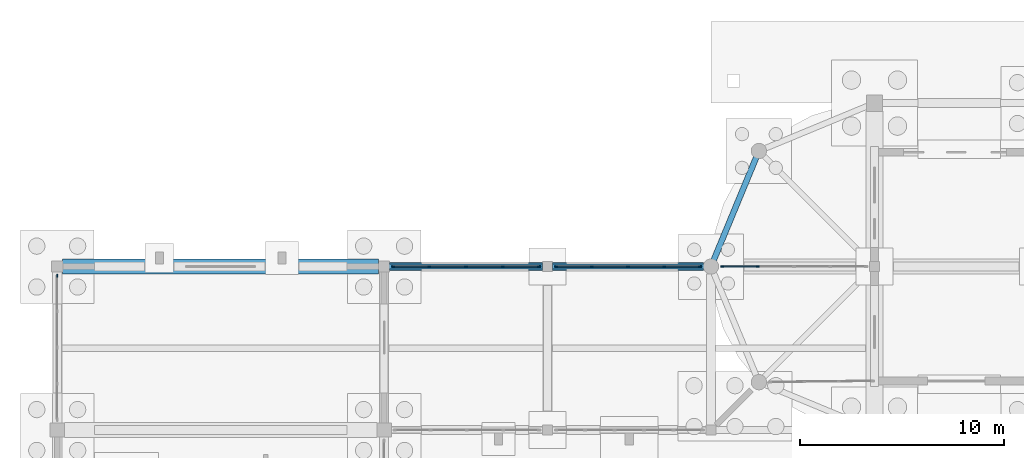
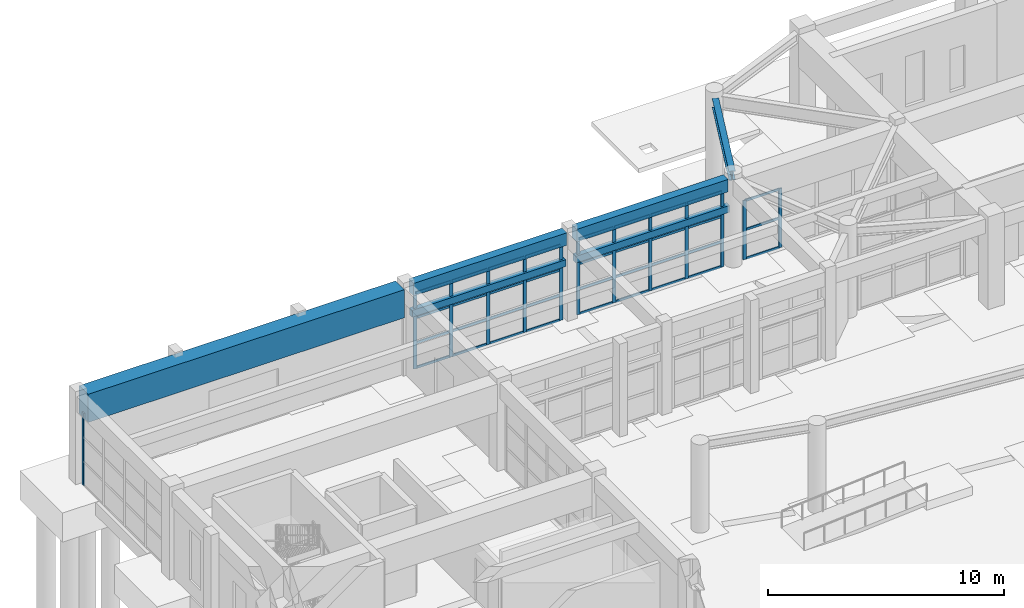
# One storey, part 27 of 68: 48 members, 6 beams, 4 elements without a shape of their own.
"""IFC4 building model written with IfcOpenShell, lengths in metres."""

from ifc_helpers import new_model, si_unit, direction, frame, origin, origin_2d, place, context, subcontext, project, spatial, rectangle, i_section, extrude, material, material_profile, profile_set, type_object, element, aggregate, save


model = new_model("IFC4")

# Units and contexts
model_context = context("Model", 3, precision=1e-05, world=origin(), true_north=direction((0.0, 1.0)))
body_context = subcontext(model_context, "Body", "Model", "MODEL_VIEW")
ifc_project = project(units=[si_unit("LENGTHUNIT", "METRE"), si_unit("AREAUNIT", "SQUARE_METRE"), si_unit("VOLUMEUNIT", "CUBIC_METRE"), si_unit("PLANEANGLEUNIT", "RADIAN"), si_unit("MASSUNIT", "GRAM", prefix="KILO")], contexts=[model_context])

# Site, building, storey
site_placement = place(None, origin())
site = spatial("IfcSite", under=ifc_project, at=site_placement, CompositionType="ELEMENT")
building_placement = place(site_placement, origin())
building = spatial("IfcBuilding", under=site, at=building_placement, Name="Serraluz Foothill Cableway Terminal", CompositionType="ELEMENT")
storey_placement = place(building_placement, origin())
storey = spatial("IfcBuildingStorey", under=building, at=storey_placement, Name="L00", CompositionType="ELEMENT", Elevation=0.0)

# Beams
ifc_material_1 = material(Name="Concrete C28/35 (f'c 28 MPa)", Category="concrete")
ifc_material_profile_1 = material_profile(ifc_material_1, rectangle(XDim=0.39990234375, YDim=0.64990234375, at=origin_2d()), Name="RC 400x650")
ifc_profile_set_1 = profile_set([ifc_material_profile_1], Name="Concrete C28/35 (f'c 28 MPa)")
beam_type_1 = type_object("IfcBeamType", Name="TYP-BM-RC400X650", PredefinedType="BEAM", material=ifc_profile_set_1)
beam_1_placement = place(storey_placement, frame((16.27099609375, 64.0, 4.235107421875), z_axis=(1.0, 0.0, 0.0), x_axis=(0.0, 1.0, 0.0)))
element("IfcBeam", 1, at=beam_1_placement, inside=storey, type_object=beam_type_1, Name="Primary Girder BM-X-L00-0078", PredefinedType="BEAM", context=body_context, shape_type="SweptSolid", body=[
    extrude(rectangle(XDim=0.39990234375, YDim=0.64990234375, at=origin_2d()), origin(), (0.0, 0.0, 1.0), 7.48291015625),
])
beam_2_placement = place(storey_placement, frame((24.24609375, 64.0, 4.235107421875), z_axis=(1.0, 0.0, 0.0), x_axis=(0.0, 1.0, 0.0)))
element("IfcBeam", 2, at=beam_2_placement, inside=storey, type_object=beam_type_1, Name="Primary Girder BM-X-L00-0079", PredefinedType="BEAM", context=body_context, shape_type="SweptSolid", body=[
    extrude(rectangle(XDim=0.39990234375, YDim=0.64990234375, at=origin_2d()), origin(), (0.0, 0.0, 1.0), 7.3828125),
])
ifc_material_2 = material(Name="Concrete C35/45 (f'c 35 MPa)", Category="concrete")
ifc_material_profile_2 = material_profile(ifc_material_2, rectangle(XDim=0.75, YDim=1.449951171875, at=origin_2d()), Name="RC TG 750x1450")
ifc_profile_set_2 = profile_set([ifc_material_profile_2], Name="Concrete C35/45 (f'c 35 MPa)")
beam_type_2 = type_object("IfcBeamType", Name="TYP-BM-RCTG1450", PredefinedType="BEAM", material=ifc_profile_set_2)
beam_3_placement = place(storey_placement, frame((0.27099609375, 64.0, 3.81494140625), z_axis=(1.0, 0.0, 0.0), x_axis=(0.0, 1.0, 0.0)))
element("IfcBeam", 3, at=beam_3_placement, inside=storey, type_object=beam_type_2, Name="Primary Girder BM-X-L00-0077", PredefinedType="BEAM", context=body_context, shape_type="SweptSolid", body=[
    extrude(rectangle(XDim=0.75, YDim=1.449951171875, at=origin_2d()), origin(), (0.0, 0.0, 1.0), 15.4580078125),
])

# Curtain wall, member
ifc_material_3 = material(Name="Architectural bronze alloy C28000", Category="aluminium")
curtain_wall_type_1 = type_object("IfcCurtainWallType", Name="TYP-CW-540X420", PredefinedType="NOTDEFINED", material=ifc_material_3)
curtain_wall_1_placement = place(storey_placement, origin())
curtain_wall_1 = element("IfcCurtainWall", 4, at=curtain_wall_1_placement, inside=storey, type_object=curtain_wall_type_1, Name="Ribbed Glazed Curtain Wall CW-V5W-L00-56", PredefinedType="NOTDEFINED")
ifc_material_profile_3 = material_profile(ifc_material_3, rectangle(XDim=0.06005859375, YDim=0.159912109375, at=origin_2d()), Name="ALU MULLION 60x160")
ifc_profile_set_3 = profile_set([ifc_material_profile_3], Name="Architectural bronze alloy C28000")
member_type_1 = type_object("IfcMemberType", Name="TYP-CW-MUL-60X160", PredefinedType="MULLION", material=ifc_profile_set_3)
member_1_placement = place(storey_placement, frame((0.0, 63.554931640625, 0.0), z_axis=(0.0, 0.0, 1.0), x_axis=(-1.0, 0.0, 0.0)))
member_1 = element("IfcMember", 5, at=member_1_placement, type_object=member_type_1, Name="CW-10 mullion 5", PredefinedType="MULLION", context=body_context, shape_type="SweptSolid", body=[
    extrude(rectangle(XDim=0.06005859375, YDim=0.159912109375, at=origin_2d()), origin(), (0.0, 0.0, 1.0), 3.739990234375),
])
aggregate(curtain_wall_1, [member_1])

# Curtain wall, members
curtain_wall_type_2 = type_object("IfcCurtainWallType", Name="TYP-CW-710X420", PredefinedType="NOTDEFINED", material=ifc_material_3)
curtain_wall_2_placement = place(storey_placement, origin())
curtain_wall_2 = element("IfcCurtainWall", 6, at=curtain_wall_2_placement, inside=storey, type_object=curtain_wall_type_2, Name="Ribbed Glazed Curtain Wall CW-WLN-L00-16", PredefinedType="NOTDEFINED")
member_2_placement = place(storey_placement, frame((16.445068359375, 64.0, 0.0), z_axis=(0.0, 0.0, 1.0), x_axis=(0.0, 1.0, 0.0)))
member_2 = element("IfcMember", 7, at=member_2_placement, type_object=member_type_1, Name="CW-01 mullion 1", PredefinedType="MULLION", context=body_context, shape_type="SweptSolid", body=[
    extrude(rectangle(XDim=0.06005859375, YDim=0.159912109375, at=origin_2d()), origin(), (0.0, 0.0, 1.0), 3.909912109375),
])
member_3_placement = place(storey_placement, frame((18.2138671875, 64.0, 0.0), z_axis=(0.0, 0.0, 1.0), x_axis=(0.0, 1.0, 0.0)))
member_3 = element("IfcMember", 8, at=member_3_placement, type_object=member_type_1, Name="CW-01 mullion 2", PredefinedType="MULLION", context=body_context, shape_type="SweptSolid", body=[
    extrude(rectangle(XDim=0.06005859375, YDim=0.159912109375, at=origin_2d()), origin(), (0.0, 0.0, 1.0), 3.909912109375),
])
member_4_placement = place(storey_placement, frame((20.012451171875, 64.0, 0.0), z_axis=(0.0, 0.0, 1.0), x_axis=(0.0, 1.0, 0.0)))
member_4 = element("IfcMember", 9, at=member_4_placement, type_object=member_type_1, Name="CW-01 mullion 3", PredefinedType="MULLION", context=body_context, shape_type="SweptSolid", body=[
    extrude(rectangle(XDim=0.06005859375, YDim=0.159912109375, at=origin_2d()), origin(), (0.0, 0.0, 1.0), 3.909912109375),
])
member_5_placement = place(storey_placement, frame((21.811279296875, 64.0, 0.0), z_axis=(0.0, 0.0, 1.0), x_axis=(0.0, 1.0, 0.0)))
member_5 = element("IfcMember", 10, at=member_5_placement, type_object=member_type_1, Name="CW-01 mullion 4", PredefinedType="MULLION", context=body_context, shape_type="SweptSolid", body=[
    extrude(rectangle(XDim=0.06005859375, YDim=0.159912109375, at=origin_2d()), origin(), (0.0, 0.0, 1.0), 3.909912109375),
])
member_6_placement = place(storey_placement, frame((23.580078125, 64.0, 0.0), z_axis=(0.0, 0.0, 1.0), x_axis=(0.0, 1.0, 0.0)))
member_6 = element("IfcMember", 11, at=member_6_placement, type_object=member_type_1, Name="CW-01 mullion 5", PredefinedType="MULLION", context=body_context, shape_type="SweptSolid", body=[
    extrude(rectangle(XDim=0.06005859375, YDim=0.159912109375, at=origin_2d()), origin(), (0.0, 0.0, 1.0), 3.909912109375),
])

curtain_wall_3_placement = place(storey_placement, origin())
curtain_wall_3 = element("IfcCurtainWall", 12, at=curtain_wall_3_placement, inside=storey, type_object=curtain_wall_type_2, Name="Ribbed Glazed Curtain Wall CW-WLN-L00-24", PredefinedType="NOTDEFINED")
member_7_placement = place(storey_placement, frame((24.419921875, 64.0, 0.0), z_axis=(0.0, 0.0, 1.0), x_axis=(0.0, 1.0, 0.0)))
member_7 = element("IfcMember", 13, at=member_7_placement, type_object=member_type_1, Name="CW-01 mullion 1", PredefinedType="MULLION", context=body_context, shape_type="SweptSolid", body=[
    extrude(rectangle(XDim=0.06005859375, YDim=0.159912109375, at=origin_2d()), origin(), (0.0, 0.0, 1.0), 3.909912109375),
])
member_8_placement = place(storey_placement, frame((26.163818359375, 64.0, 0.0), z_axis=(0.0, 0.0, 1.0), x_axis=(0.0, 1.0, 0.0)))
member_8 = element("IfcMember", 14, at=member_8_placement, type_object=member_type_1, Name="CW-01 mullion 2", PredefinedType="MULLION", context=body_context, shape_type="SweptSolid", body=[
    extrude(rectangle(XDim=0.06005859375, YDim=0.159912109375, at=origin_2d()), origin(), (0.0, 0.0, 1.0), 3.909912109375),
])
member_9_placement = place(storey_placement, frame((27.9375, 64.0, 0.0), z_axis=(0.0, 0.0, 1.0), x_axis=(0.0, 1.0, 0.0)))
member_9 = element("IfcMember", 15, at=member_9_placement, type_object=member_type_1, Name="CW-01 mullion 3", PredefinedType="MULLION", context=body_context, shape_type="SweptSolid", body=[
    extrude(rectangle(XDim=0.06005859375, YDim=0.159912109375, at=origin_2d()), origin(), (0.0, 0.0, 1.0), 3.909912109375),
])
member_10_placement = place(storey_placement, frame((29.711181640625, 64.0, 0.0), z_axis=(0.0, 0.0, 1.0), x_axis=(0.0, 1.0, 0.0)))
member_10 = element("IfcMember", 16, at=member_10_placement, type_object=member_type_1, Name="CW-01 mullion 4", PredefinedType="MULLION", context=body_context, shape_type="SweptSolid", body=[
    extrude(rectangle(XDim=0.06005859375, YDim=0.159912109375, at=origin_2d()), origin(), (0.0, 0.0, 1.0), 3.909912109375),
])
member_11_placement = place(storey_placement, frame((31.455078125, 64.0, 0.0), z_axis=(0.0, 0.0, 1.0), x_axis=(0.0, 1.0, 0.0)))
member_11 = element("IfcMember", 17, at=member_11_placement, type_object=member_type_1, Name="CW-01 mullion 5", PredefinedType="MULLION", context=body_context, shape_type="SweptSolid", body=[
    extrude(rectangle(XDim=0.06005859375, YDim=0.159912109375, at=origin_2d()), origin(), (0.0, 0.0, 1.0), 3.909912109375),
])

curtain_wall_4_placement = place(storey_placement, origin())
curtain_wall_4 = element("IfcCurtainWall", 18, at=curtain_wall_4_placement, inside=storey, type_object=curtain_wall_type_2, Name="Ribbed Glazed Curtain Wall CW-WLN-L00-32", PredefinedType="NOTDEFINED")
member_12_placement = place(storey_placement, frame((32.544921875, 64.0, 0.0), z_axis=(0.0, 0.0, 1.0), x_axis=(0.0, 1.0, 0.0)))
member_12 = element("IfcMember", 19, at=member_12_placement, type_object=member_type_1, Name="CW-01 mullion 1", PredefinedType="MULLION", context=body_context, shape_type="SweptSolid", body=[
    extrude(rectangle(XDim=0.06005859375, YDim=0.159912109375, at=origin_2d()), origin(), (0.0, 0.0, 1.0), 3.050048828125),
])
member_13_placement = place(storey_placement, frame((34.288818359375, 64.0, 0.0), z_axis=(0.0, 0.0, 1.0), x_axis=(0.0, 1.0, 0.0)))
member_13 = element("IfcMember", 20, at=member_13_placement, type_object=member_type_1, Name="CW-01 mullion 2", PredefinedType="MULLION", context=body_context, shape_type="SweptSolid", body=[
    extrude(rectangle(XDim=0.06005859375, YDim=0.159912109375, at=origin_2d()), origin(), (0.0, 0.0, 1.0), 3.050048828125),
])

# Member
ifc_material_profile_4 = material_profile(ifc_material_3, rectangle(XDim=0.06005859375, YDim=0.1201171875, at=origin_2d()), Name="ALU TRANSOM 60x120")
ifc_profile_set_4 = profile_set([ifc_material_profile_4], Name="Architectural bronze alloy C28000")
member_type_2 = type_object("IfcMemberType", Name="TYP-CW-TRN-60X120", PredefinedType="USERDEFINED", material=ifc_profile_set_4)
member_14_placement = place(storey_placement, frame((16.47509765625, 64.0, 0.030029296875), z_axis=(1.0, 0.0, 0.0), x_axis=(0.0, 1.0, 0.0)))
member_14 = element("IfcMember", 21, at=member_14_placement, type_object=member_type_2, Name="CW-01 transom 1.1", ObjectType="TRANSOM", PredefinedType="USERDEFINED", context=body_context, shape_type="SweptSolid", body=[
    extrude(rectangle(XDim=0.06005859375, YDim=0.1201171875, at=origin_2d()), origin(), (0.0, 0.0, 1.0), 1.708740234375),
])

member_15_placement = place(storey_placement, frame((16.47509765625, 64.0, 1.30322265625), z_axis=(1.0, 0.0, 0.0), x_axis=(0.0, 1.0, 0.0)))
member_15 = element("IfcMember", 22, at=member_15_placement, type_object=member_type_2, Name="CW-01 transom 1.2", ObjectType="TRANSOM", PredefinedType="USERDEFINED", context=body_context, shape_type="SweptSolid", body=[
    extrude(rectangle(XDim=0.06005859375, YDim=0.1201171875, at=origin_2d()), origin(), (0.0, 0.0, 1.0), 1.708740234375),
])

member_16_placement = place(storey_placement, frame((16.47509765625, 64.0, 2.606689453125), z_axis=(1.0, 0.0, 0.0), x_axis=(0.0, 1.0, 0.0)))
member_16 = element("IfcMember", 23, at=member_16_placement, type_object=member_type_2, Name="CW-01 transom 1.3", ObjectType="TRANSOM", PredefinedType="USERDEFINED", context=body_context, shape_type="SweptSolid", body=[
    extrude(rectangle(XDim=0.06005859375, YDim=0.1201171875, at=origin_2d()), origin(), (0.0, 0.0, 1.0), 1.708740234375),
])

member_17_placement = place(storey_placement, frame((16.47509765625, 64.0, 3.8798828125), z_axis=(1.0, 0.0, 0.0), x_axis=(0.0, 1.0, 0.0)))
member_17 = element("IfcMember", 24, at=member_17_placement, type_object=member_type_2, Name="CW-01 transom 1.4", ObjectType="TRANSOM", PredefinedType="USERDEFINED", context=body_context, shape_type="SweptSolid", body=[
    extrude(rectangle(XDim=0.06005859375, YDim=0.1201171875, at=origin_2d()), origin(), (0.0, 0.0, 1.0), 1.708740234375),
])

member_18_placement = place(storey_placement, frame((18.24365234375, 64.0, 0.030029296875), z_axis=(1.0, 0.0, 0.0), x_axis=(0.0, 1.0, 0.0)))
member_18 = element("IfcMember", 25, at=member_18_placement, type_object=member_type_2, Name="CW-01 transom 2.1", ObjectType="TRANSOM", PredefinedType="USERDEFINED", context=body_context, shape_type="SweptSolid", body=[
    extrude(rectangle(XDim=0.06005859375, YDim=0.1201171875, at=origin_2d()), origin(), (0.0, 0.0, 1.0), 1.73876953125),
])

member_19_placement = place(storey_placement, frame((18.24365234375, 64.0, 1.30322265625), z_axis=(1.0, 0.0, 0.0), x_axis=(0.0, 1.0, 0.0)))
member_19 = element("IfcMember", 26, at=member_19_placement, type_object=member_type_2, Name="CW-01 transom 2.2", ObjectType="TRANSOM", PredefinedType="USERDEFINED", context=body_context, shape_type="SweptSolid", body=[
    extrude(rectangle(XDim=0.06005859375, YDim=0.1201171875, at=origin_2d()), origin(), (0.0, 0.0, 1.0), 1.73876953125),
])

member_20_placement = place(storey_placement, frame((18.24365234375, 64.0, 2.606689453125), z_axis=(1.0, 0.0, 0.0), x_axis=(0.0, 1.0, 0.0)))
member_20 = element("IfcMember", 27, at=member_20_placement, type_object=member_type_2, Name="CW-01 transom 2.3", ObjectType="TRANSOM", PredefinedType="USERDEFINED", context=body_context, shape_type="SweptSolid", body=[
    extrude(rectangle(XDim=0.06005859375, YDim=0.1201171875, at=origin_2d()), origin(), (0.0, 0.0, 1.0), 1.73876953125),
])

member_21_placement = place(storey_placement, frame((18.24365234375, 64.0, 3.8798828125), z_axis=(1.0, 0.0, 0.0), x_axis=(0.0, 1.0, 0.0)))
member_21 = element("IfcMember", 28, at=member_21_placement, type_object=member_type_2, Name="CW-01 transom 2.4", ObjectType="TRANSOM", PredefinedType="USERDEFINED", context=body_context, shape_type="SweptSolid", body=[
    extrude(rectangle(XDim=0.06005859375, YDim=0.1201171875, at=origin_2d()), origin(), (0.0, 0.0, 1.0), 1.73876953125),
])

member_22_placement = place(storey_placement, frame((20.04248046875, 64.0, 0.030029296875), z_axis=(1.0, 0.0, 0.0), x_axis=(0.0, 1.0, 0.0)))
member_22 = element("IfcMember", 29, at=member_22_placement, type_object=member_type_2, Name="CW-01 transom 3.1", ObjectType="TRANSOM", PredefinedType="USERDEFINED", context=body_context, shape_type="SweptSolid", body=[
    extrude(rectangle(XDim=0.06005859375, YDim=0.1201171875, at=origin_2d()), origin(), (0.0, 0.0, 1.0), 1.73876953125),
])

member_23_placement = place(storey_placement, frame((20.04248046875, 64.0, 1.30322265625), z_axis=(1.0, 0.0, 0.0), x_axis=(0.0, 1.0, 0.0)))
member_23 = element("IfcMember", 30, at=member_23_placement, type_object=member_type_2, Name="CW-01 transom 3.2", ObjectType="TRANSOM", PredefinedType="USERDEFINED", context=body_context, shape_type="SweptSolid", body=[
    extrude(rectangle(XDim=0.06005859375, YDim=0.1201171875, at=origin_2d()), origin(), (0.0, 0.0, 1.0), 1.73876953125),
])

member_24_placement = place(storey_placement, frame((20.04248046875, 64.0, 2.606689453125), z_axis=(1.0, 0.0, 0.0), x_axis=(0.0, 1.0, 0.0)))
member_24 = element("IfcMember", 31, at=member_24_placement, type_object=member_type_2, Name="CW-01 transom 3.3", ObjectType="TRANSOM", PredefinedType="USERDEFINED", context=body_context, shape_type="SweptSolid", body=[
    extrude(rectangle(XDim=0.06005859375, YDim=0.1201171875, at=origin_2d()), origin(), (0.0, 0.0, 1.0), 1.73876953125),
])

member_25_placement = place(storey_placement, frame((20.04248046875, 64.0, 3.8798828125), z_axis=(1.0, 0.0, 0.0), x_axis=(0.0, 1.0, 0.0)))
member_25 = element("IfcMember", 32, at=member_25_placement, type_object=member_type_2, Name="CW-01 transom 3.4", ObjectType="TRANSOM", PredefinedType="USERDEFINED", context=body_context, shape_type="SweptSolid", body=[
    extrude(rectangle(XDim=0.06005859375, YDim=0.1201171875, at=origin_2d()), origin(), (0.0, 0.0, 1.0), 1.73876953125),
])

member_26_placement = place(storey_placement, frame((21.84130859375, 64.0, 0.030029296875), z_axis=(1.0, 0.0, 0.0), x_axis=(0.0, 1.0, 0.0)))
member_26 = element("IfcMember", 33, at=member_26_placement, type_object=member_type_2, Name="CW-01 transom 4.1", ObjectType="TRANSOM", PredefinedType="USERDEFINED", context=body_context, shape_type="SweptSolid", body=[
    extrude(rectangle(XDim=0.06005859375, YDim=0.1201171875, at=origin_2d()), origin(), (0.0, 0.0, 1.0), 1.708740234375),
])

member_27_placement = place(storey_placement, frame((21.84130859375, 64.0, 1.30322265625), z_axis=(1.0, 0.0, 0.0), x_axis=(0.0, 1.0, 0.0)))
member_27 = element("IfcMember", 34, at=member_27_placement, type_object=member_type_2, Name="CW-01 transom 4.2", ObjectType="TRANSOM", PredefinedType="USERDEFINED", context=body_context, shape_type="SweptSolid", body=[
    extrude(rectangle(XDim=0.06005859375, YDim=0.1201171875, at=origin_2d()), origin(), (0.0, 0.0, 1.0), 1.708740234375),
])

member_28_placement = place(storey_placement, frame((21.84130859375, 64.0, 2.606689453125), z_axis=(1.0, 0.0, 0.0), x_axis=(0.0, 1.0, 0.0)))
member_28 = element("IfcMember", 35, at=member_28_placement, type_object=member_type_2, Name="CW-01 transom 4.3", ObjectType="TRANSOM", PredefinedType="USERDEFINED", context=body_context, shape_type="SweptSolid", body=[
    extrude(rectangle(XDim=0.06005859375, YDim=0.1201171875, at=origin_2d()), origin(), (0.0, 0.0, 1.0), 1.708740234375),
])

member_29_placement = place(storey_placement, frame((21.84130859375, 64.0, 3.8798828125), z_axis=(1.0, 0.0, 0.0), x_axis=(0.0, 1.0, 0.0)))
member_29 = element("IfcMember", 36, at=member_29_placement, type_object=member_type_2, Name="CW-01 transom 4.4", ObjectType="TRANSOM", PredefinedType="USERDEFINED", context=body_context, shape_type="SweptSolid", body=[
    extrude(rectangle(XDim=0.06005859375, YDim=0.1201171875, at=origin_2d()), origin(), (0.0, 0.0, 1.0), 1.708740234375),
])

aggregate(curtain_wall_2, [member_2, member_3, member_4, member_5, member_6, member_14, member_15, member_16, member_17, member_18, member_19, member_20, member_21, member_22, member_23, member_24, member_25, member_26, member_27, member_28, member_29])

member_30_placement = place(storey_placement, frame((24.449951171875, 64.0, 0.030029296875), z_axis=(1.0, 0.0, 0.0), x_axis=(0.0, 1.0, 0.0)))
member_30 = element("IfcMember", 37, at=member_30_placement, type_object=member_type_2, Name="CW-01 transom 1.1", ObjectType="TRANSOM", PredefinedType="USERDEFINED", context=body_context, shape_type="SweptSolid", body=[
    extrude(rectangle(XDim=0.06005859375, YDim=0.1201171875, at=origin_2d()), origin(), (0.0, 0.0, 1.0), 1.683837890625),
])

member_31_placement = place(storey_placement, frame((24.449951171875, 64.0, 1.30322265625), z_axis=(1.0, 0.0, 0.0), x_axis=(0.0, 1.0, 0.0)))
member_31 = element("IfcMember", 38, at=member_31_placement, type_object=member_type_2, Name="CW-01 transom 1.2", ObjectType="TRANSOM", PredefinedType="USERDEFINED", context=body_context, shape_type="SweptSolid", body=[
    extrude(rectangle(XDim=0.06005859375, YDim=0.1201171875, at=origin_2d()), origin(), (0.0, 0.0, 1.0), 1.683837890625),
])

member_32_placement = place(storey_placement, frame((24.449951171875, 64.0, 2.606689453125), z_axis=(1.0, 0.0, 0.0), x_axis=(0.0, 1.0, 0.0)))
member_32 = element("IfcMember", 39, at=member_32_placement, type_object=member_type_2, Name="CW-01 transom 1.3", ObjectType="TRANSOM", PredefinedType="USERDEFINED", context=body_context, shape_type="SweptSolid", body=[
    extrude(rectangle(XDim=0.06005859375, YDim=0.1201171875, at=origin_2d()), origin(), (0.0, 0.0, 1.0), 1.683837890625),
])

member_33_placement = place(storey_placement, frame((24.449951171875, 64.0, 3.8798828125), z_axis=(1.0, 0.0, 0.0), x_axis=(0.0, 1.0, 0.0)))
member_33 = element("IfcMember", 40, at=member_33_placement, type_object=member_type_2, Name="CW-01 transom 1.4", ObjectType="TRANSOM", PredefinedType="USERDEFINED", context=body_context, shape_type="SweptSolid", body=[
    extrude(rectangle(XDim=0.06005859375, YDim=0.1201171875, at=origin_2d()), origin(), (0.0, 0.0, 1.0), 1.683837890625),
])

member_34_placement = place(storey_placement, frame((26.19384765625, 64.0, 0.030029296875), z_axis=(1.0, 0.0, 0.0), x_axis=(0.0, 1.0, 0.0)))
member_34 = element("IfcMember", 41, at=member_34_placement, type_object=member_type_2, Name="CW-01 transom 2.1", ObjectType="TRANSOM", PredefinedType="USERDEFINED", context=body_context, shape_type="SweptSolid", body=[
    extrude(rectangle(XDim=0.06005859375, YDim=0.1201171875, at=origin_2d()), origin(), (0.0, 0.0, 1.0), 1.713623046875),
])

member_35_placement = place(storey_placement, frame((26.19384765625, 64.0, 1.30322265625), z_axis=(1.0, 0.0, 0.0), x_axis=(0.0, 1.0, 0.0)))
member_35 = element("IfcMember", 42, at=member_35_placement, type_object=member_type_2, Name="CW-01 transom 2.2", ObjectType="TRANSOM", PredefinedType="USERDEFINED", context=body_context, shape_type="SweptSolid", body=[
    extrude(rectangle(XDim=0.06005859375, YDim=0.1201171875, at=origin_2d()), origin(), (0.0, 0.0, 1.0), 1.713623046875),
])

member_36_placement = place(storey_placement, frame((26.19384765625, 64.0, 2.606689453125), z_axis=(1.0, 0.0, 0.0), x_axis=(0.0, 1.0, 0.0)))
member_36 = element("IfcMember", 43, at=member_36_placement, type_object=member_type_2, Name="CW-01 transom 2.3", ObjectType="TRANSOM", PredefinedType="USERDEFINED", context=body_context, shape_type="SweptSolid", body=[
    extrude(rectangle(XDim=0.06005859375, YDim=0.1201171875, at=origin_2d()), origin(), (0.0, 0.0, 1.0), 1.713623046875),
])

member_37_placement = place(storey_placement, frame((26.19384765625, 64.0, 3.8798828125), z_axis=(1.0, 0.0, 0.0), x_axis=(0.0, 1.0, 0.0)))
member_37 = element("IfcMember", 44, at=member_37_placement, type_object=member_type_2, Name="CW-01 transom 2.4", ObjectType="TRANSOM", PredefinedType="USERDEFINED", context=body_context, shape_type="SweptSolid", body=[
    extrude(rectangle(XDim=0.06005859375, YDim=0.1201171875, at=origin_2d()), origin(), (0.0, 0.0, 1.0), 1.713623046875),
])

member_38_placement = place(storey_placement, frame((27.967529296875, 64.0, 0.030029296875), z_axis=(1.0, 0.0, 0.0), x_axis=(0.0, 1.0, 0.0)))
member_38 = element("IfcMember", 45, at=member_38_placement, type_object=member_type_2, Name="CW-01 transom 3.1", ObjectType="TRANSOM", PredefinedType="USERDEFINED", context=body_context, shape_type="SweptSolid", body=[
    extrude(rectangle(XDim=0.06005859375, YDim=0.1201171875, at=origin_2d()), origin(), (0.0, 0.0, 1.0), 1.713623046875),
])

member_39_placement = place(storey_placement, frame((27.967529296875, 64.0, 1.30322265625), z_axis=(1.0, 0.0, 0.0), x_axis=(0.0, 1.0, 0.0)))
member_39 = element("IfcMember", 46, at=member_39_placement, type_object=member_type_2, Name="CW-01 transom 3.2", ObjectType="TRANSOM", PredefinedType="USERDEFINED", context=body_context, shape_type="SweptSolid", body=[
    extrude(rectangle(XDim=0.06005859375, YDim=0.1201171875, at=origin_2d()), origin(), (0.0, 0.0, 1.0), 1.713623046875),
])

member_40_placement = place(storey_placement, frame((27.967529296875, 64.0, 2.606689453125), z_axis=(1.0, 0.0, 0.0), x_axis=(0.0, 1.0, 0.0)))
member_40 = element("IfcMember", 47, at=member_40_placement, type_object=member_type_2, Name="CW-01 transom 3.3", ObjectType="TRANSOM", PredefinedType="USERDEFINED", context=body_context, shape_type="SweptSolid", body=[
    extrude(rectangle(XDim=0.06005859375, YDim=0.1201171875, at=origin_2d()), origin(), (0.0, 0.0, 1.0), 1.713623046875),
])

member_41_placement = place(storey_placement, frame((27.967529296875, 64.0, 3.8798828125), z_axis=(1.0, 0.0, 0.0), x_axis=(0.0, 1.0, 0.0)))
member_41 = element("IfcMember", 48, at=member_41_placement, type_object=member_type_2, Name="CW-01 transom 3.4", ObjectType="TRANSOM", PredefinedType="USERDEFINED", context=body_context, shape_type="SweptSolid", body=[
    extrude(rectangle(XDim=0.06005859375, YDim=0.1201171875, at=origin_2d()), origin(), (0.0, 0.0, 1.0), 1.713623046875),
])

member_42_placement = place(storey_placement, frame((29.7412109375, 64.0, 0.030029296875), z_axis=(1.0, 0.0, 0.0), x_axis=(0.0, 1.0, 0.0)))
member_42 = element("IfcMember", 49, at=member_42_placement, type_object=member_type_2, Name="CW-01 transom 4.1", ObjectType="TRANSOM", PredefinedType="USERDEFINED", context=body_context, shape_type="SweptSolid", body=[
    extrude(rectangle(XDim=0.06005859375, YDim=0.1201171875, at=origin_2d()), origin(), (0.0, 0.0, 1.0), 1.683837890625),
])

member_43_placement = place(storey_placement, frame((29.7412109375, 64.0, 1.30322265625), z_axis=(1.0, 0.0, 0.0), x_axis=(0.0, 1.0, 0.0)))
member_43 = element("IfcMember", 50, at=member_43_placement, type_object=member_type_2, Name="CW-01 transom 4.2", ObjectType="TRANSOM", PredefinedType="USERDEFINED", context=body_context, shape_type="SweptSolid", body=[
    extrude(rectangle(XDim=0.06005859375, YDim=0.1201171875, at=origin_2d()), origin(), (0.0, 0.0, 1.0), 1.683837890625),
])

member_44_placement = place(storey_placement, frame((29.7412109375, 64.0, 2.606689453125), z_axis=(1.0, 0.0, 0.0), x_axis=(0.0, 1.0, 0.0)))
member_44 = element("IfcMember", 51, at=member_44_placement, type_object=member_type_2, Name="CW-01 transom 4.3", ObjectType="TRANSOM", PredefinedType="USERDEFINED", context=body_context, shape_type="SweptSolid", body=[
    extrude(rectangle(XDim=0.06005859375, YDim=0.1201171875, at=origin_2d()), origin(), (0.0, 0.0, 1.0), 1.683837890625),
])

member_45_placement = place(storey_placement, frame((29.7412109375, 64.0, 3.8798828125), z_axis=(1.0, 0.0, 0.0), x_axis=(0.0, 1.0, 0.0)))
member_45 = element("IfcMember", 52, at=member_45_placement, type_object=member_type_2, Name="CW-01 transom 4.4", ObjectType="TRANSOM", PredefinedType="USERDEFINED", context=body_context, shape_type="SweptSolid", body=[
    extrude(rectangle(XDim=0.06005859375, YDim=0.1201171875, at=origin_2d()), origin(), (0.0, 0.0, 1.0), 1.683837890625),
])

aggregate(curtain_wall_3, [member_7, member_8, member_9, member_10, member_11, member_30, member_31, member_32, member_33, member_34, member_35, member_36, member_37, member_38, member_39, member_40, member_41, member_42, member_43, member_44, member_45])

member_46_placement = place(storey_placement, frame((32.574951171875, 64.0, 0.030029296875), z_axis=(1.0, 0.0, 0.0), x_axis=(0.0, 1.0, 0.0)))
member_46 = element("IfcMember", 53, at=member_46_placement, type_object=member_type_2, Name="CW-01 transom 1.1", ObjectType="TRANSOM", PredefinedType="USERDEFINED", context=body_context, shape_type="SweptSolid", body=[
    extrude(rectangle(XDim=0.06005859375, YDim=0.1201171875, at=origin_2d()), origin(), (0.0, 0.0, 1.0), 1.683837890625),
])

member_47_placement = place(storey_placement, frame((32.574951171875, 64.0, 1.52490234375), z_axis=(1.0, 0.0, 0.0), x_axis=(0.0, 1.0, 0.0)))
member_47 = element("IfcMember", 54, at=member_47_placement, type_object=member_type_2, Name="CW-01 transom 1.2", ObjectType="TRANSOM", PredefinedType="USERDEFINED", context=body_context, shape_type="SweptSolid", body=[
    extrude(rectangle(XDim=0.06005859375, YDim=0.1201171875, at=origin_2d()), origin(), (0.0, 0.0, 1.0), 1.683837890625),
])

member_48_placement = place(storey_placement, frame((32.574951171875, 64.0, 3.02001953125), z_axis=(1.0, 0.0, 0.0), x_axis=(0.0, 1.0, 0.0)))
member_48 = element("IfcMember", 55, at=member_48_placement, type_object=member_type_2, Name="CW-01 transom 1.3", ObjectType="TRANSOM", PredefinedType="USERDEFINED", context=body_context, shape_type="SweptSolid", body=[
    extrude(rectangle(XDim=0.06005859375, YDim=0.1201171875, at=origin_2d()), origin(), (0.0, 0.0, 1.0), 1.683837890625),
])

aggregate(curtain_wall_4, [member_12, member_13, member_46, member_47, member_48])

# Beams
ifc_material_4 = material(Name="Precast concrete C40/50", Category="concrete")
ifc_material_profile_5 = material_profile(ifc_material_4, rectangle(XDim=0.25, YDim=0.35009765625, at=origin_2d()), Name="RC LN 250x350")
ifc_profile_set_5 = profile_set([ifc_material_profile_5], Name="Precast concrete C40/50")
beam_type_3 = type_object("IfcBeamType", Name="TYP-LN-250X350", PredefinedType="LINTEL", material=ifc_profile_set_5)
for number, where, z_axis, x_axis, name in (
    (56, (16.25, 64.0, 2.949951171875), (1.0, 0.0, 0.0), (0.0, 1.0, 0.0), "Arcade Portal Lintel LN-PORTAL-03"),
    (57, (24.25, 64.0, 2.949951171875), (1.0, 0.0, 0.0), (0.0, 1.0, 0.0), "Arcade Portal Lintel LN-PORTAL-04"),
):
    element("IfcBeam", number, at=place(storey_placement, frame(where, z_axis=z_axis, x_axis=x_axis)), inside=storey, type_object=beam_type_3, Name=name, PredefinedType="LINTEL", context=body_context, shape_type="SweptSolid", body=[
        extrude(rectangle(XDim=0.25, YDim=0.35009765625, at=origin_2d()), origin(), (0.0, 0.0, 1.0), 7.5),
    ])
ifc_material_5 = material(Name="Steel ASTM A992 Grade 50", Category="steel")
ifc_material_profile_6 = material_profile(ifc_material_5, i_section(OverallWidth=0.282958984375, OverallDepth=0.471923828125, WebThickness=0.013671875, FlangeThickness=0.022216796875, FilletRadius=0.014892578125, at=origin_2d()), Name="W18X97")
ifc_profile_set_6 = profile_set([ifc_material_profile_6], Name="Steel ASTM A992 Grade 50")
beam_type_4 = type_object("IfcBeamType", Name="TYP-SP-W18X97", PredefinedType="SPANDREL", material=ifc_profile_set_6)
beam_4_placement = place(storey_placement, frame((32.130126953125, 64.314208984375, 4.263916015625), z_axis=(0.382662116449, 0.923888361565, 0.0), x_axis=(-0.923888361565, 0.382662116449, 0.0)))
element("IfcBeam", 58, at=beam_4_placement, inside=storey, type_object=beam_type_4, Name="Curved End Ring Beam W-L00-3", PredefinedType="SPANDREL", context=body_context, shape_type="SweptSolid", body=[
    extrude(i_section(OverallWidth=0.282958984375, OverallDepth=0.471923828125, WebThickness=0.013671875, FlangeThickness=0.022216796875, FilletRadius=0.014892578125, at=origin_2d()), origin(), (0.0, 0.0, 1.0), 5.44287109375),
])

save(model, "model.ifc")
